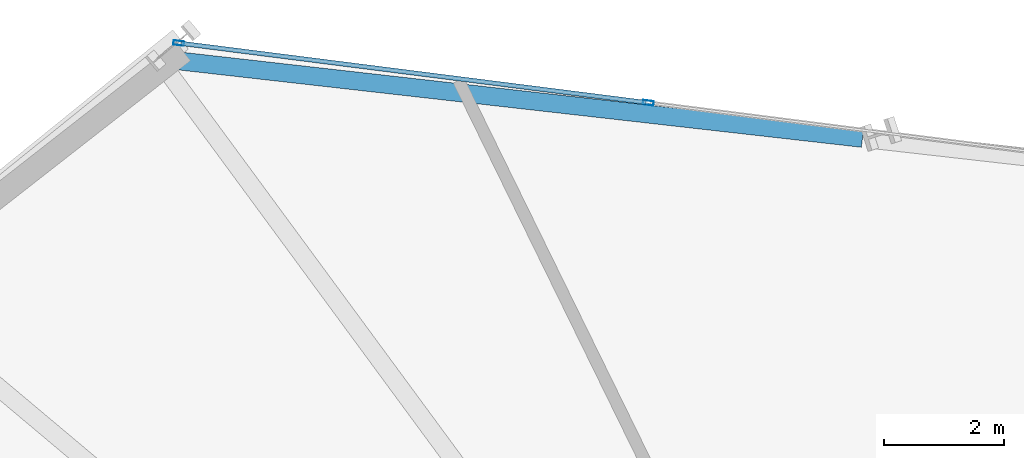
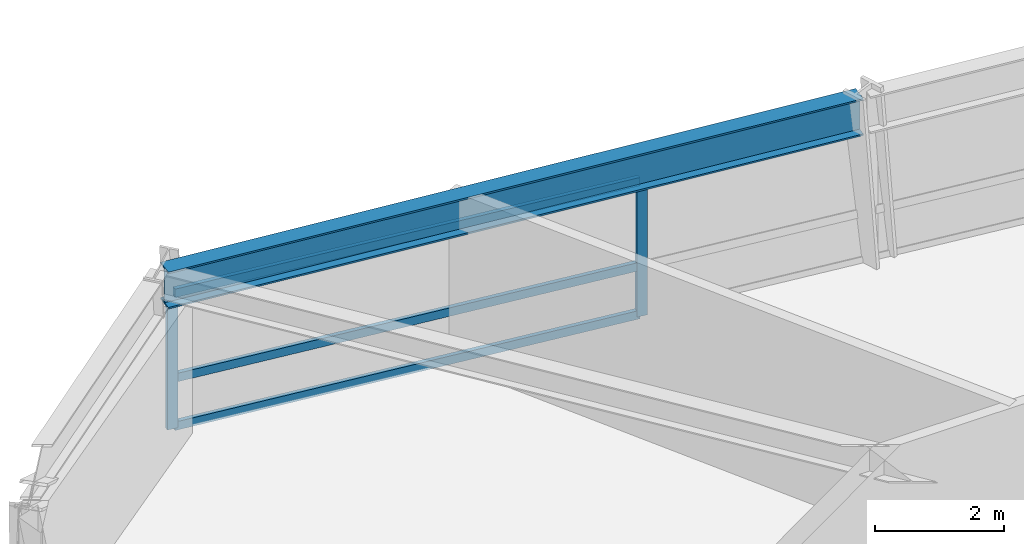
# One storey, part 8 of 22: 5 members, 1 beam, 1 element without a shape of its own.
"""IFC4 building model written with IfcOpenShell, lengths in metres."""

from ifc_helpers import new_model, si_unit, direction, frame, origin, origin_2d, place, context, subcontext, project, spatial, hollow_rectangle, i_section, extrude, source, transform, mapped, material, material_profile, profile_set, type_object, element, aggregate, save


model = new_model("IFC4")

# Units and contexts
model_context = context("Model", 3, precision=1e-05, world=origin(), true_north=direction((0.0, 1.0)))
body_context = subcontext(model_context, "Body", "Model", "MODEL_VIEW")
ifc_project = project(units=[si_unit("LENGTHUNIT", "METRE"), si_unit("AREAUNIT", "SQUARE_METRE"), si_unit("VOLUMEUNIT", "CUBIC_METRE"), si_unit("PLANEANGLEUNIT", "RADIAN"), si_unit("MASSUNIT", "GRAM", prefix="KILO")], contexts=[model_context])

# Site, building, storey
site_placement = place(None, origin())
site = spatial("IfcSite", under=ifc_project, at=site_placement, CompositionType="ELEMENT")
building_placement = place(site_placement, origin())
building = spatial("IfcBuilding", under=site, at=building_placement, Name="Olszyna Solenne Hotel", CompositionType="ELEMENT")
storey_placement = place(building_placement, frame((0.0, 0.0, 57.699951171875)))
storey = spatial("IfcBuildingStorey", under=building, at=storey_placement, Name="L14", CompositionType="ELEMENT", Elevation=57.699951171875)

# Beam
ifc_material_1 = material(Name="Steel S355J2", Category="steel")
ifc_material_profile_1 = material_profile(ifc_material_1, i_section(OverallWidth=0.300048828125, OverallDepth=0.699951171875, WebThickness=0.01708984375, FlangeThickness=0.031982421875, at=origin_2d()), Name="HEB 700", Category="load-bearing")
ifc_profile_set_1 = profile_set([ifc_material_profile_1], Name="Steel S355J2")
beam_type = type_object("IfcBeamType", Name="BM-S1", PredefinedType="BEAM", material=ifc_profile_set_1)
shared_shape_1 = source(origin(), body_context, "Body", "SweptSolid", [
    extrude(i_section(OverallWidth=0.300048828125, OverallDepth=0.699951171875, WebThickness=0.01708984375, FlangeThickness=0.031982421875, at=origin_2d()), origin(), (0.0, 0.0, 1.0), 11.764404296875),
])
beam_placement = place(storey_placement, frame((35.276611328125, 44.943115234375, 2.949951171875), z_axis=(-0.993642503967, 0.112581411918, 0.0), x_axis=(-0.112581411918, -0.993642503967, 0.0)))
element("IfcBeam", 1, at=beam_placement, inside=storey, type_object=beam_type, Name="Perimeter spandrel beam BM-S1 B-L14-0439", PredefinedType="BEAM", context=body_context, shape_type="MappedRepresentation", body=[
    mapped(shared_shape_1, transform((0.0, 0.0, 0.0), x_axis=(1.0, 0.0, 0.0), y_axis=(0.0, 1.0, 0.0), z_axis=(0.0, 0.0, 1.0), scale=1.0)),
])

# Curtain wall, members
ifc_material_2 = material(Name="Anodised bronze aluminium", Category="aluminium")
curtain_wall_type = type_object("IfcCurtainWallType", Name="CW-SYS-2", PredefinedType="NOTDEFINED", material=ifc_material_2)
curtain_wall_placement = place(storey_placement, origin())
curtain_wall = element("IfcCurtainWall", 2, at=curtain_wall_placement, inside=storey, type_object=curtain_wall_type, Name="Unitised curtain wall CW-SYS-2 CW-L14-02", PredefinedType="NOTDEFINED")
ifc_material_profile_2 = material_profile(ifc_material_2, hollow_rectangle(XDim=0.074951171875, YDim=0.179931640625, WallThickness=0.00439453125, at=origin_2d()), Name="MULL 180x75x4.5", Category="load-bearing")
ifc_profile_set_2 = profile_set([ifc_material_profile_2], Name="Anodised bronze aluminium")
member_type_1 = type_object("IfcMemberType", Name="CW-M2", PredefinedType="MULLION", material=ifc_profile_set_2)
shared_shape_2 = source(origin(), body_context, "Body", "SweptSolid", [
    extrude(hollow_rectangle(XDim=0.074951171875, YDim=0.179931640625, WallThickness=0.00439453125, at=origin_2d()), origin(), (0.0, 0.0, 1.0), 2.592041015625),
])
member_1_placement = place(storey_placement, frame((23.872802734375, 46.532958984375, 0.0), z_axis=(0.0, 0.0, 1.0), x_axis=(0.126307576424, 0.991991127046, 0.0)))
member_1 = element("IfcMember", 3, at=member_1_placement, type_object=member_type_1, Name="Curtain-wall mullion CW-M2 CM-L14-02-01", PredefinedType="MULLION", context=body_context, shape_type="MappedRepresentation", body=[
    mapped(shared_shape_2, transform((0.0, 0.0, 0.0), x_axis=(1.0, 0.0, 0.0), y_axis=(0.0, 1.0, 0.0), z_axis=(0.0, 0.0, 1.0), scale=1.0)),
])
member_2_placement = place(storey_placement, frame((31.7060546875, 45.53564453125, 0.0), z_axis=(0.0, 0.0, 1.0), x_axis=(0.126307576424, 0.991991127046, 0.0)))
member_2 = element("IfcMember", 4, at=member_2_placement, type_object=member_type_1, Name="Curtain-wall mullion CW-M2 CM-L14-02-02", PredefinedType="MULLION", context=body_context, shape_type="MappedRepresentation", body=[
    mapped(shared_shape_2, transform((0.0, 0.0, 0.0), x_axis=(1.0, 0.0, 0.0), y_axis=(0.0, 1.0, 0.0), z_axis=(0.0, 0.0, 1.0), scale=1.0)),
])
ifc_material_profile_3 = material_profile(ifc_material_2, hollow_rectangle(XDim=0.074951171875, YDim=0.159912109375, WallThickness=0.00390625, at=origin_2d()), Name="TRAN 160x75x4", Category="load-bearing")
ifc_profile_set_3 = profile_set([ifc_material_profile_3], Name="Anodised bronze aluminium")
member_type_2 = type_object("IfcMemberType", Name="CW-T1", PredefinedType="USERDEFINED", material=ifc_profile_set_3)
shared_shape_3 = source(origin(), body_context, "Body", "SweptSolid", [
    extrude(hollow_rectangle(XDim=0.074951171875, YDim=0.159912109375, WallThickness=0.00390625, at=origin_2d()), origin(), (0.0, 0.0, 1.0), 7.8212890625),
])
member_3_placement = place(storey_placement, frame((23.91015625, 46.5283203125, 0.03759765625), z_axis=(0.991992437444, -0.12629728443, 0.0), x_axis=(0.12629728443, 0.991992437444, 0.0)))
member_3 = element("IfcMember", 5, at=member_3_placement, type_object=member_type_2, Name="Curtain-wall transom CW-T1 CT-L14-02-01", ObjectType="TRANSOM", PredefinedType="USERDEFINED", context=body_context, shape_type="MappedRepresentation", body=[
    mapped(shared_shape_3, transform((0.0, 0.0, 0.0), x_axis=(1.0, 0.0, 0.0), y_axis=(0.0, 1.0, 0.0), z_axis=(0.0, 0.0, 1.0), scale=1.0)),
])
member_4_placement = place(storey_placement, frame((23.91015625, 46.5283203125, 0.949951171875), z_axis=(0.991992437444, -0.12629728443, 0.0), x_axis=(0.12629728443, 0.991992437444, 0.0)))
member_4 = element("IfcMember", 6, at=member_4_placement, type_object=member_type_2, Name="Curtain-wall transom CW-T1 CT-L14-02-02", ObjectType="TRANSOM", PredefinedType="USERDEFINED", context=body_context, shape_type="MappedRepresentation", body=[
    mapped(shared_shape_3, transform((0.0, 0.0, 0.0), x_axis=(1.0, 0.0, 0.0), y_axis=(0.0, 1.0, 0.0), z_axis=(0.0, 0.0, 1.0), scale=1.0)),
])
member_5_placement = place(storey_placement, frame((23.91015625, 46.5283203125, 2.554443359375), z_axis=(0.991992437444, -0.12629728443, 0.0), x_axis=(0.12629728443, 0.991992437444, 0.0)))
member_5 = element("IfcMember", 7, at=member_5_placement, type_object=member_type_2, Name="Curtain-wall transom CW-T1 CT-L14-02-03", ObjectType="TRANSOM", PredefinedType="USERDEFINED", context=body_context, shape_type="MappedRepresentation", body=[
    mapped(shared_shape_3, transform((0.0, 0.0, 0.0), x_axis=(1.0, 0.0, 0.0), y_axis=(0.0, 1.0, 0.0), z_axis=(0.0, 0.0, 1.0), scale=1.0)),
])
aggregate(curtain_wall, [member_1, member_2, member_3, member_4, member_5])

save(model, "model.ifc")
